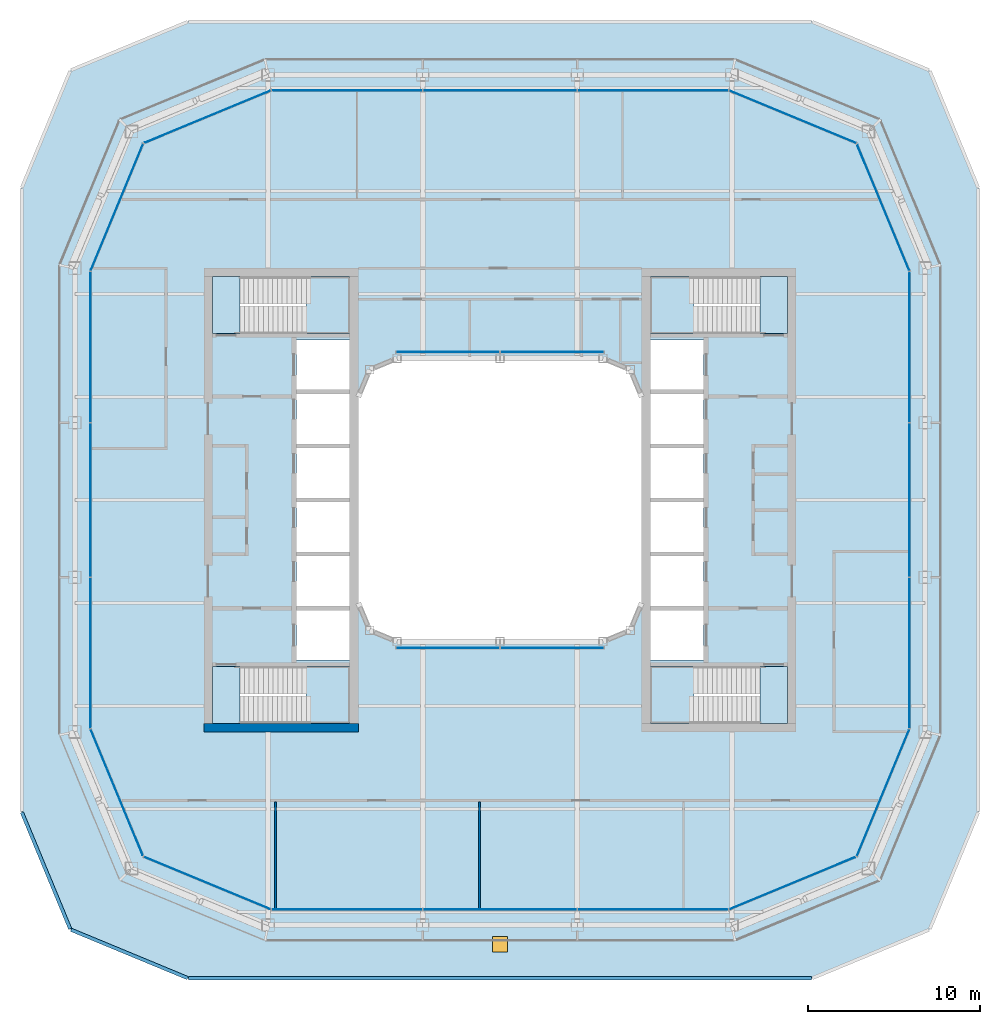
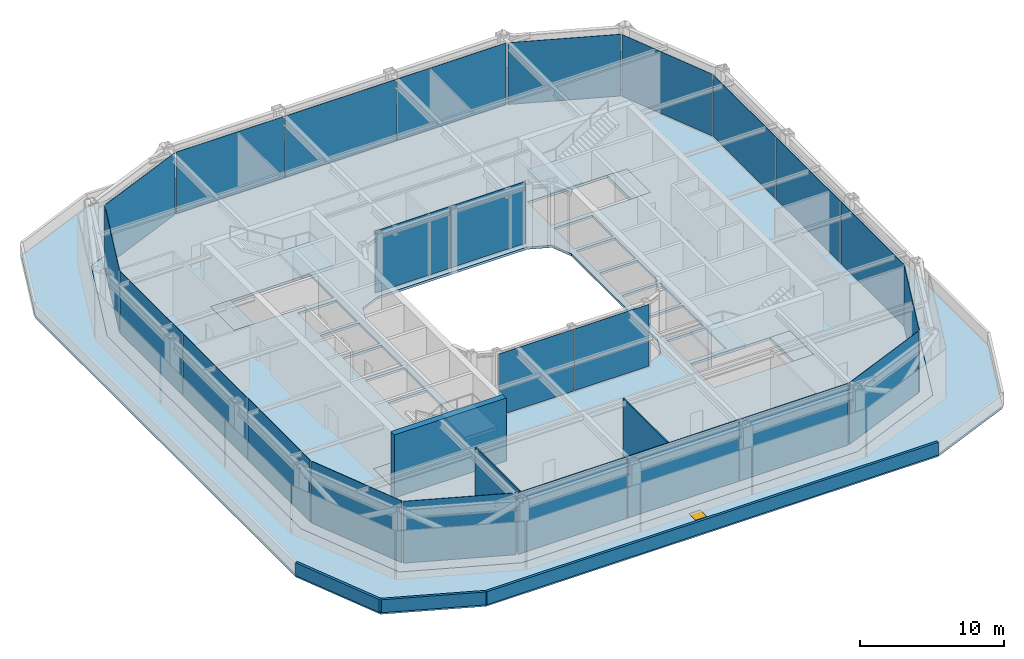
# One storey, part 9 of 17: 24 plates, 10 slabs, 6 walls, 1 window, 1 opening, 18 elements without a shape of their own.
"""IFC4 building model written with IfcOpenShell, lengths in metres."""

import ifcopenshell
import ifcopenshell.guid

model = None  # the IFC model being written
_history = None  # IfcOwnerHistory: only IFC2X3 demands one
_inside = {}  # id of a spatial element -> (the spatial element, [elements in it])
_under = {}  # id of a project, library or spatial element -> (it, [spatial elements below it])
_declared = {}  # id of a project -> (the project, [libraries it declares])
_typed = {}  # id of a type object -> (the type object, [elements of that type])
_made_of = {}  # id of a material, layer set ... -> (it, [elements and type objects made of it])


def new_model(schema):
    """Start an empty IFC model of exactly this schema.

    Asked for "IFC4X3", IfcOpenShell would pick the latest addendum, in which some entities
    have other attributes; the version numbers below select the first issue.
    IFC2X3 requires an IfcOwnerHistory on every rooted entity: one is made here for all.
    """
    global model, _history
    if schema == "IFC4X3":
        model = ifcopenshell.file(schema_version=(4, 3, 0, 0))
    else:
        model = ifcopenshell.file(schema=schema)
    _inside.clear()
    _under.clear()
    _declared.clear()
    _typed.clear()
    _made_of.clear()
    _history = None
    if model.schema == "IFC2X3":
        org = make("IfcOrganization", Name="unknown")
        user = make(
            "IfcPersonAndOrganization",
            ThePerson=make("IfcPerson", FamilyName="unknown"),
            TheOrganization=org,
        )
        app = make(
            "IfcApplication",
            ApplicationDeveloper=org,
            Version="unknown",
            ApplicationFullName="unknown",
            ApplicationIdentifier="unknown",
        )
        _history = make(
            "IfcOwnerHistory",
            OwningUser=user,
            OwningApplication=app,
            ChangeAction="ADDED",
            CreationDate=0,
        )
    return model


def make(cls, **values):
    """One entity of the class cls with the attributes given. An attribute that is None is left unset."""
    return model.create_entity(
        cls, **{name: value for name, value in values.items() if value is not None}
    )


def rooted(cls, **values):
    """An entity with a GlobalId (a new one), such as an element, a storey or a relation."""
    return make(cls, GlobalId=ifcopenshell.guid.new(), OwnerHistory=_history, **values)


def si_unit(unit_type, name, prefix=None):
    """IfcSIUnit, for example si_unit("LENGTHUNIT", "METRE", prefix="MILLI")."""
    return make("IfcSIUnit", UnitType=unit_type, Prefix=prefix, Name=name)


def assignment(units):
    """IfcUnitAssignment: the units of a project."""
    return None if units is None else make("IfcUnitAssignment", Units=units)


def point(xyz):
    """IfcCartesianPoint."""
    return None if xyz is None else make("IfcCartesianPoint", Coordinates=xyz)


def direction(xyz):
    """IfcDirection."""
    return None if xyz is None else make("IfcDirection", DirectionRatios=xyz)


def frame(location, z_axis=None, x_axis=None):
    """IfcAxis2Placement3D, a coordinate frame: its origin and axes. An axis left out is left unset."""
    return make(
        "IfcAxis2Placement3D",
        Location=point(location),
        Axis=direction(z_axis),
        RefDirection=direction(x_axis),
    )


def frame_2d(location, x_axis=None):
    """IfcAxis2Placement2D, a coordinate frame in the plane: its origin and x axis."""
    return make(
        "IfcAxis2Placement2D", Location=point(location), RefDirection=direction(x_axis)
    )


def origin():
    """The frame at (0, 0, 0) with its axes left unset."""
    return frame((0.0, 0.0, 0.0))


def origin_2d():
    """The frame at (0, 0) in the plane with its x axis left unset."""
    return frame_2d((0.0, 0.0))


def place(relative_to, where):
    """IfcLocalPlacement: puts the frame where relative to a parent placement (None: the world)."""
    return make(
        "IfcLocalPlacement", PlacementRelTo=relative_to, RelativePlacement=where
    )


def context(
    kind, dimensions, precision=None, world=None, true_north=None, identifier=None
):
    """IfcGeometricRepresentationContext, for example the 3D "Model" context."""
    return make(
        "IfcGeometricRepresentationContext",
        ContextIdentifier=identifier,
        ContextType=kind,
        CoordinateSpaceDimension=dimensions,
        Precision=precision,
        WorldCoordinateSystem=world,
        TrueNorth=true_north,
    )


def subcontext(parent, identifier, kind, view, scale=None):
    """IfcGeometricRepresentationSubContext, for example "Body" below "Model"."""
    return make(
        "IfcGeometricRepresentationSubContext",
        ContextIdentifier=identifier,
        ContextType=kind,
        ParentContext=parent,
        TargetScale=scale,
        TargetView=view,
    )


def project(units=None, contexts=None):
    """IfcProject with its units and contexts."""
    return rooted(
        "IfcProject",
        Name="project",
        RepresentationContexts=contexts,
        UnitsInContext=assignment(units),
    )


def spatial(cls, under=None, at=None, **own):
    """A site, building, storey or space (cls), placed at a placement, below another one or the project."""
    s = rooted(cls, ObjectPlacement=at, **own)
    if under is not None:
        _under.setdefault(under.id(), (under, []))[1].append(s)
    return s


def polyline(points):
    """IfcPolyline through the points."""
    return make("IfcPolyline", Points=[point(p) for p in points])


def profile(cls, at=None, kind="AREA", **sizes):
    """A parametric profile (cls). Its sizes go by their IFC names, for example OverallWidth=200.0."""
    return make(cls, ProfileType=kind, Position=at, **sizes)


def rectangle(**sizes):
    """IfcRectangleProfileDef."""
    return profile("IfcRectangleProfileDef", **sizes)


def outline(outer, holes=None, kind="AREA"):
    """IfcArbitraryClosedProfileDef: a profile drawn as a closed curve; with holes, ...WithVoids."""
    if holes is None:
        return make("IfcArbitraryClosedProfileDef", ProfileType=kind, OuterCurve=outer)
    return make(
        "IfcArbitraryProfileDefWithVoids",
        ProfileType=kind,
        OuterCurve=outer,
        InnerCurves=holes,
    )


def extrude(swept, where, along, depth):
    """IfcExtrudedAreaSolid: the profile swept, set in the frame where, extruded along a direction by depth."""
    return make(
        "IfcExtrudedAreaSolid",
        SweptArea=swept,
        Position=where,
        ExtrudedDirection=direction(along),
        Depth=depth,
    )


def shape(context_of_items, identifier, shape_type, items):
    """IfcShapeRepresentation: the items that make up one representation, for example the "Body"."""
    return make(
        "IfcShapeRepresentation",
        ContextOfItems=context_of_items,
        RepresentationIdentifier=identifier,
        RepresentationType=shape_type,
        Items=items,
    )


def material(Name=None, Category=None):
    """IfcMaterial."""
    return make("IfcMaterial", Name=Name, Category=Category)


def layer(
    of_material, thickness, ventilated=None, Name=None, Category=None, Priority=None
):
    """IfcMaterialLayer: one layer of a wall or slab, of a material (None: an air gap)."""
    return make(
        "IfcMaterialLayer",
        Material=of_material,
        LayerThickness=thickness,
        IsVentilated=ventilated,
        Name=Name,
        Category=Category,
        Priority=Priority,
    )


def layer_set(layers, Name=None):
    """IfcMaterialLayerSet."""
    return make("IfcMaterialLayerSet", MaterialLayers=layers, LayerSetName=Name)


def made_of(thing, what):
    """Note that an element or type object is made of a material, layer set ...; save() writes the relation."""
    if what is not None:
        _made_of.setdefault(what.id(), (what, []))[1].append(thing)
    return thing


def type_object(cls, material=None, **own):
    """A type object (cls), such as IfcWallType, which elements share."""
    return made_of(rooted(cls, **own), material)


def element(
    cls,
    number,
    at=None,
    inside=None,
    cuts=None,
    type_object=None,
    material=None,
    context=None,
    identifier="Body",
    shape_type=None,
    held_by="IfcProductDefinitionShape",
    body=None,
    shapes=None,
    **own,
):
    """One element of the class cls, such as IfcWall. Its Tag is "e" and its number.

    at: its placement. inside: the storey or other place that contains it. cuts: it is an
    opening in that element (IfcRelVoidsElement). A single representation is given by context,
    identifier, shape_type and body (its items); several are given by shapes. held_by: the class
    of the entity that holds the representations. save() writes the other relations.
    """
    e = rooted(cls, Tag="e%d" % number, ObjectPlacement=at, **own)
    if body is not None:
        shapes = [shape(context, identifier, shape_type, body)]
    if shapes is not None:
        e.Representation = make(held_by, Representations=shapes)
    if inside is not None:
        _inside.setdefault(inside.id(), (inside, []))[1].append(e)
    if cuts is not None:
        rooted(
            "IfcRelVoidsElement", RelatingBuildingElement=cuts, RelatedOpeningElement=e
        )
    if type_object is not None:
        _typed.setdefault(type_object.id(), (type_object, []))[1].append(e)
    return made_of(e, material)


def fill(opening, filler):
    """IfcRelFillsElement: the door or window that sits in an opening."""
    return rooted(
        "IfcRelFillsElement",
        RelatingOpeningElement=opening,
        RelatedBuildingElement=filler,
    )


def aggregate(whole, parts):
    """IfcRelAggregates: a whole, such as a stair, and the parts it consists of."""
    return rooted("IfcRelAggregates", RelatingObject=whole, RelatedObjects=parts)


def save(model, path):
    """Write the relations noted so far, then the file.

    IfcRelAggregates (storeys below a building ...), IfcRelContainedInSpatialStructure (elements
    in a storey), IfcRelDefinesByType, IfcRelAssociatesMaterial and IfcRelDeclares: one each for
    every whole, place, type object, material and project.
    """
    for whole, parts in _under.values():
        aggregate(whole, parts)
    for where, things in _inside.values():
        rooted(
            "IfcRelContainedInSpatialStructure",
            RelatedElements=things,
            RelatingStructure=where,
        )
    for kind, things in _typed.values():
        rooted("IfcRelDefinesByType", RelatedObjects=things, RelatingType=kind)
    for what, things in _made_of.values():
        rooted("IfcRelAssociatesMaterial", RelatedObjects=things, RelatingMaterial=what)
    for by, libraries in _declared.values():
        rooted("IfcRelDeclares", RelatingContext=by, RelatedDefinitions=libraries)
    model.write(path)


model = new_model("IFC4")

# Units and contexts
model_context = context("Model", 3, precision=1e-05, world=origin(), true_north=direction((0.0, 1.0)))
body_context = subcontext(model_context, "Body", "Model", "MODEL_VIEW")
ifc_project = project(units=[si_unit("LENGTHUNIT", "METRE"), si_unit("AREAUNIT", "SQUARE_METRE"), si_unit("VOLUMEUNIT", "CUBIC_METRE"), si_unit("PLANEANGLEUNIT", "RADIAN"), si_unit("MASSUNIT", "GRAM", prefix="KILO")], contexts=[model_context])

# Site, building, storey
site_placement = place(None, origin())
site = spatial("IfcSite", under=ifc_project, at=site_placement, CompositionType="ELEMENT")
building_placement = place(site_placement, origin())
building = spatial("IfcBuilding", under=site, at=building_placement, Name="Siwar Civic Tower", CompositionType="ELEMENT")
storey_placement = place(building_placement, frame((0.0, 0.0, 284.199951171875)))
storey = spatial("IfcBuildingStorey", under=building, at=storey_placement, Name="L61", CompositionType="ELEMENT", Elevation=284.199951171875)

# Stair, slabs
ifc_material_1 = material(Name="Concrete C40/50", Category="concrete")
stair_type = type_object("IfcStairType", Name="CORE-STAIR", PredefinedType="TWO_STRAIGHT_RUN_STAIR", material=ifc_material_1)
stair_1_placement = place(storey_placement, origin())
stair_1 = element("IfcStair", 1, at=stair_1_placement, inside=storey, type_object=stair_type, Name="Exit stair ST1", PredefinedType="TWO_STRAIGHT_RUN_STAIR")
ifc_material_2 = material(Name="Concrete C40/50", Category="concrete")
ifc_layer_1 = layer(ifc_material_2, 0.300048828125)
ifc_layer_set_1 = layer_set([ifc_layer_1], Name="Concrete C40/50")
slab_type_1 = type_object("IfcSlabType", Name="CORE-STAIR-LANDING", PredefinedType="LANDING", material=ifc_layer_set_1)
slab_1_placement = place(storey_placement, frame((0.0, 0.0, -0.300048828125)))
slab_1 = element("IfcSlab", 2, at=slab_1_placement, type_object=slab_type_1, Name="ST1 landing 1", PredefinedType="LANDING", context=body_context, shape_type="SweptSolid", body=[
    extrude(outline(polyline([(-15.14990234375, 13.0), (-16.75, 13.0), (-16.75, 9.699951171875), (-15.14990234375, 9.699951171875), (-15.14990234375, 13.0)])), origin(), (0.0, 0.0, 1.0), 0.300048828125),
])
slab_2_placement = place(storey_placement, frame((0.0, 0.0, 2.449951171875)))
slab_2 = element("IfcSlab", 3, at=slab_2_placement, type_object=slab_type_1, Name="ST1 landing 2", PredefinedType="LANDING", context=body_context, shape_type="SweptSolid", body=[
    extrude(outline(polyline([(-8.75, 13.0), (-11.300048828125, 13.0), (-11.300048828125, 9.699951171875), (-8.75, 9.699951171875), (-8.75, 13.0)])), origin(), (0.0, 0.0, 1.0), 0.300048828125),
])
aggregate(stair_1, [slab_1, slab_2])

stair_2_placement = place(storey_placement, origin())
stair_2 = element("IfcStair", 4, at=stair_2_placement, inside=storey, type_object=stair_type, Name="Exit stair ST2", PredefinedType="TWO_STRAIGHT_RUN_STAIR")
slab_3_placement = place(storey_placement, frame((0.0, 0.0, -0.300048828125)))
slab_3 = element("IfcSlab", 5, at=slab_3_placement, type_object=slab_type_1, Name="ST2 landing 1", PredefinedType="LANDING", context=body_context, shape_type="SweptSolid", body=[
    extrude(outline(polyline([(-15.14990234375, -9.699951171875), (-16.75, -9.699951171875), (-16.75, -13.0), (-15.14990234375, -13.0), (-15.14990234375, -9.699951171875)])), origin(), (0.0, 0.0, 1.0), 0.300048828125),
])
slab_4_placement = place(storey_placement, frame((0.0, 0.0, 2.449951171875)))
slab_4 = element("IfcSlab", 6, at=slab_4_placement, type_object=slab_type_1, Name="ST2 landing 2", PredefinedType="LANDING", context=body_context, shape_type="SweptSolid", body=[
    extrude(outline(polyline([(-8.75, -9.699951171875), (-11.300048828125, -9.699951171875), (-11.300048828125, -13.0), (-8.75, -13.0), (-8.75, -9.699951171875)])), origin(), (0.0, 0.0, 1.0), 0.300048828125),
])
aggregate(stair_2, [slab_3, slab_4])

stair_3_placement = place(storey_placement, origin())
stair_3 = element("IfcStair", 7, at=stair_3_placement, inside=storey, type_object=stair_type, Name="Exit stair ST3", PredefinedType="TWO_STRAIGHT_RUN_STAIR")
slab_5_placement = place(storey_placement, frame((0.0, 0.0, -0.300048828125)))
slab_5 = element("IfcSlab", 8, at=slab_5_placement, type_object=slab_type_1, Name="ST3 landing 1", PredefinedType="LANDING", context=body_context, shape_type="SweptSolid", body=[
    extrude(outline(polyline([(15.14990234375, 9.699951171875), (16.75, 9.699951171875), (16.75, 13.0), (15.14990234375, 13.0), (15.14990234375, 9.699951171875)])), origin(), (0.0, 0.0, 1.0), 0.300048828125),
])
slab_6_placement = place(storey_placement, frame((0.0, 0.0, 2.449951171875)))
slab_6 = element("IfcSlab", 9, at=slab_6_placement, type_object=slab_type_1, Name="ST3 landing 2", PredefinedType="LANDING", context=body_context, shape_type="SweptSolid", body=[
    extrude(outline(polyline([(8.75, 9.699951171875), (11.300048828125, 9.699951171875), (11.300048828125, 13.0), (8.75, 13.0), (8.75, 9.699951171875)])), origin(), (0.0, 0.0, 1.0), 0.300048828125),
])
aggregate(stair_3, [slab_5, slab_6])

stair_4_placement = place(storey_placement, origin())
stair_4 = element("IfcStair", 10, at=stair_4_placement, inside=storey, type_object=stair_type, Name="Exit stair ST4", PredefinedType="TWO_STRAIGHT_RUN_STAIR")
slab_7_placement = place(storey_placement, frame((0.0, 0.0, -0.300048828125)))
slab_7 = element("IfcSlab", 11, at=slab_7_placement, type_object=slab_type_1, Name="ST4 landing 1", PredefinedType="LANDING", context=body_context, shape_type="SweptSolid", body=[
    extrude(outline(polyline([(15.14990234375, -13.0), (16.75, -13.0), (16.75, -9.699951171875), (15.14990234375, -9.699951171875), (15.14990234375, -13.0)])), origin(), (0.0, 0.0, 1.0), 0.300048828125),
])
slab_8_placement = place(storey_placement, frame((0.0, 0.0, 2.449951171875)))
slab_8 = element("IfcSlab", 12, at=slab_8_placement, type_object=slab_type_1, Name="ST4 landing 2", PredefinedType="LANDING", context=body_context, shape_type="SweptSolid", body=[
    extrude(outline(polyline([(8.75, -13.0), (11.300048828125, -13.0), (11.300048828125, -9.699951171875), (8.75, -9.699951171875), (8.75, -13.0)])), origin(), (0.0, 0.0, 1.0), 0.300048828125),
])
aggregate(stair_4, [slab_7, slab_8])

# Curtain wall, plates
ifc_material_3 = material(Name="Aluminium and glass", Category="aluminium")
ifc_layer_2 = layer(ifc_material_3, 0.159912109375)
ifc_layer_set_2 = layer_set([ifc_layer_2], Name="Aluminium and glass")
curtain_wall_type_1 = type_object("IfcCurtainWallType", Name="ENV-CW-D", PredefinedType="NOTDEFINED", material=ifc_layer_set_2)
curtain_wall_1_placement = place(storey_placement, origin())
curtain_wall_1 = element("IfcCurtainWall", 13, at=curtain_wall_1_placement, inside=storey, type_object=curtain_wall_type_1, Name="Curtain wall D S", PredefinedType="NOTDEFINED")
ifc_material_4 = material(Name="Glass clear laminated", Category="glass")
ifc_layer_3 = layer(ifc_material_4, 0.030029296875)
ifc_layer_set_3 = layer_set([ifc_layer_3], Name="Glass clear laminated")
plate_type_1 = type_object("IfcPlateType", Name="ENV-PANEL-D", PredefinedType="CURTAIN_PANEL", material=ifc_layer_set_3)
plate_1_placement = place(storey_placement, frame((-8.910400390625, -23.85009765625, 0.10009765625), z_axis=(0.0, 0.0, 1.0), x_axis=(1.0, 0.0, 0.0)))
plate_1 = element("IfcPlate", 14, at=plate_1_placement, type_object=plate_type_1, Name="Curtain panel D S 1", PredefinedType="CURTAIN_PANEL", context=body_context, shape_type="SweptSolid", body=[
    extrude(rectangle(XDim=8.760986328125, YDim=0.030029296875, at=origin_2d()), origin(), (0.0, 0.0, 1.0), 5.25),
])
plate_2_placement = place(storey_placement, frame((0.0, -23.85009765625, 0.10009765625), z_axis=(0.0, 0.0, 1.0), x_axis=(1.0, 0.0, 0.0)))
plate_2 = element("IfcPlate", 15, at=plate_2_placement, type_object=plate_type_1, Name="Curtain panel D S 2", PredefinedType="CURTAIN_PANEL", context=body_context, shape_type="SweptSolid", body=[
    extrude(rectangle(XDim=8.93994140625, YDim=0.030029296875, at=origin_2d()), origin(), (0.0, 0.0, 1.0), 5.25),
])
plate_3_placement = place(storey_placement, frame((8.876708984375, -23.85009765625, 0.10009765625), z_axis=(0.0, 0.0, 1.0), x_axis=(1.0, 0.0, 0.0)))
plate_3 = element("IfcPlate", 16, at=plate_3_placement, type_object=plate_type_1, Name="Curtain panel D S 3", PredefinedType="CURTAIN_PANEL", context=body_context, shape_type="SweptSolid", body=[
    extrude(rectangle(XDim=8.693115234375, YDim=0.030029296875, at=origin_2d()), origin(), (0.0, 0.0, 1.0), 5.25),
])
aggregate(curtain_wall_1, [plate_1, plate_2, plate_3])

curtain_wall_2_placement = place(storey_placement, origin())
curtain_wall_2 = element("IfcCurtainWall", 17, at=curtain_wall_2_placement, inside=storey, type_object=curtain_wall_type_1, Name="Curtain wall D E", PredefinedType="NOTDEFINED")
plate_4_placement = place(storey_placement, frame((23.85009765625, -8.910400390625, 0.10009765625), z_axis=(0.0, 0.0, 1.0), x_axis=(0.0, 1.0, 0.0)))
plate_4 = element("IfcPlate", 18, at=plate_4_placement, type_object=plate_type_1, Name="Curtain panel D E 1", PredefinedType="CURTAIN_PANEL", context=body_context, shape_type="SweptSolid", body=[
    extrude(rectangle(XDim=8.760986328125, YDim=0.030029296875, at=origin_2d()), origin(), (0.0, 0.0, 1.0), 5.25),
])
plate_5_placement = place(storey_placement, frame((23.85009765625, 0.0, 0.10009765625), z_axis=(0.0, 0.0, 1.0), x_axis=(0.0, 1.0, 0.0)))
plate_5 = element("IfcPlate", 19, at=plate_5_placement, type_object=plate_type_1, Name="Curtain panel D E 2", PredefinedType="CURTAIN_PANEL", context=body_context, shape_type="SweptSolid", body=[
    extrude(rectangle(XDim=8.93994140625, YDim=0.030029296875, at=origin_2d()), origin(), (0.0, 0.0, 1.0), 5.25),
])
plate_6_placement = place(storey_placement, frame((23.85009765625, 8.876708984375, 0.10009765625), z_axis=(0.0, 0.0, 1.0), x_axis=(0.0, 1.0, 0.0)))
plate_6 = element("IfcPlate", 20, at=plate_6_placement, type_object=plate_type_1, Name="Curtain panel D E 3", PredefinedType="CURTAIN_PANEL", context=body_context, shape_type="SweptSolid", body=[
    extrude(rectangle(XDim=8.693115234375, YDim=0.030029296875, at=origin_2d()), origin(), (0.0, 0.0, 1.0), 5.25),
])
aggregate(curtain_wall_2, [plate_4, plate_5, plate_6])

curtain_wall_3_placement = place(storey_placement, origin())
curtain_wall_3 = element("IfcCurtainWall", 21, at=curtain_wall_3_placement, inside=storey, type_object=curtain_wall_type_1, Name="Curtain wall D N", PredefinedType="NOTDEFINED")
plate_7_placement = place(storey_placement, frame((8.910400390625, 23.85009765625, 0.10009765625), z_axis=(0.0, 0.0, 1.0), x_axis=(-1.0, 0.0, 0.0)))
plate_7 = element("IfcPlate", 22, at=plate_7_placement, type_object=plate_type_1, Name="Curtain panel D N 1", PredefinedType="CURTAIN_PANEL", context=body_context, shape_type="SweptSolid", body=[
    extrude(rectangle(XDim=8.760986328125, YDim=0.030029296875, at=origin_2d()), origin(), (0.0, 0.0, 1.0), 5.25),
])
plate_8_placement = place(storey_placement, frame((0.0, 23.85009765625, 0.10009765625), z_axis=(0.0, 0.0, 1.0), x_axis=(-1.0, 0.0, 0.0)))
plate_8 = element("IfcPlate", 23, at=plate_8_placement, type_object=plate_type_1, Name="Curtain panel D N 2", PredefinedType="CURTAIN_PANEL", context=body_context, shape_type="SweptSolid", body=[
    extrude(rectangle(XDim=8.93994140625, YDim=0.030029296875, at=origin_2d()), origin(), (0.0, 0.0, 1.0), 5.25),
])
plate_9_placement = place(storey_placement, frame((-8.876708984375, 23.85009765625, 0.10009765625), z_axis=(0.0, 0.0, 1.0), x_axis=(-1.0, 0.0, 0.0)))
plate_9 = element("IfcPlate", 24, at=plate_9_placement, type_object=plate_type_1, Name="Curtain panel D N 3", PredefinedType="CURTAIN_PANEL", context=body_context, shape_type="SweptSolid", body=[
    extrude(rectangle(XDim=8.693115234375, YDim=0.030029296875, at=origin_2d()), origin(), (0.0, 0.0, 1.0), 5.25),
])
aggregate(curtain_wall_3, [plate_7, plate_8, plate_9])

curtain_wall_4_placement = place(storey_placement, origin())
curtain_wall_4 = element("IfcCurtainWall", 25, at=curtain_wall_4_placement, inside=storey, type_object=curtain_wall_type_1, Name="Curtain wall D W", PredefinedType="NOTDEFINED")
plate_10_placement = place(storey_placement, frame((-23.85009765625, 8.910400390625, 0.10009765625), z_axis=(0.0, 0.0, 1.0), x_axis=(0.0, -1.0, 0.0)))
plate_10 = element("IfcPlate", 26, at=plate_10_placement, type_object=plate_type_1, Name="Curtain panel D W 1", PredefinedType="CURTAIN_PANEL", context=body_context, shape_type="SweptSolid", body=[
    extrude(rectangle(XDim=8.760986328125, YDim=0.030029296875, at=origin_2d()), origin(), (0.0, 0.0, 1.0), 5.25),
])
plate_11_placement = place(storey_placement, frame((-23.85009765625, 0.0, 0.10009765625), z_axis=(0.0, 0.0, 1.0), x_axis=(0.0, -1.0, 0.0)))
plate_11 = element("IfcPlate", 27, at=plate_11_placement, type_object=plate_type_1, Name="Curtain panel D W 2", PredefinedType="CURTAIN_PANEL", context=body_context, shape_type="SweptSolid", body=[
    extrude(rectangle(XDim=8.93994140625, YDim=0.030029296875, at=origin_2d()), origin(), (0.0, 0.0, 1.0), 5.25),
])
plate_12_placement = place(storey_placement, frame((-23.85009765625, -8.876708984375, 0.10009765625), z_axis=(0.0, 0.0, 1.0), x_axis=(0.0, -1.0, 0.0)))
plate_12 = element("IfcPlate", 28, at=plate_12_placement, type_object=plate_type_1, Name="Curtain panel D W 3", PredefinedType="CURTAIN_PANEL", context=body_context, shape_type="SweptSolid", body=[
    extrude(rectangle(XDim=8.693115234375, YDim=0.030029296875, at=origin_2d()), origin(), (0.0, 0.0, 1.0), 5.25),
])
aggregate(curtain_wall_4, [plate_10, plate_11, plate_12])

# Curtain wall, plate
ifc_material_5 = material(Name="Aluminium clad insulated panel", Category="aluminium")
ifc_layer_4 = layer(ifc_material_5, 0.159912109375)
ifc_layer_set_4 = layer_set([ifc_layer_4], Name="Aluminium clad insulated panel")
curtain_wall_type_2 = type_object("IfcCurtainWallType", Name="ENV-CW-DX", PredefinedType="NOTDEFINED", material=ifc_layer_set_4)
curtain_wall_5_placement = place(storey_placement, origin())
curtain_wall_5 = element("IfcCurtainWall", 29, at=curtain_wall_5_placement, inside=storey, type_object=curtain_wall_type_2, Name="Curtain wall D SE1", PredefinedType="NOTDEFINED")
ifc_material_6 = material(Name="Aluminium clad insulated panel", Category="aluminium")
ifc_layer_5 = layer(ifc_material_6, 0.030029296875)
ifc_layer_set_5 = layer_set([ifc_layer_5], Name="Aluminium clad insulated panel")
plate_type_2 = type_object("IfcPlateType", Name="ENV-PANEL-DX", PredefinedType="CURTAIN_PANEL", material=ifc_layer_set_5)
plate_13_placement = place(storey_placement, frame((17.01220703125, -22.321044921875, 0.10009765625), z_axis=(0.0, 0.0, 1.0), x_axis=(0.923879532511, 0.382683432365, 0.0)))
plate_13 = element("IfcPlate", 30, at=plate_13_placement, type_object=plate_type_2, Name="Curtain panel D SE1 1", PredefinedType="CURTAIN_PANEL", context=body_context, shape_type="SweptSolid", body=[
    extrude(rectangle(XDim=7.9306640625, YDim=0.030029296875, at=origin_2d()), origin(), (0.0, 0.0, 1.0), 5.25),
])
aggregate(curtain_wall_5, [plate_13])

curtain_wall_6_placement = place(storey_placement, origin())
curtain_wall_6 = element("IfcCurtainWall", 31, at=curtain_wall_6_placement, inside=storey, type_object=curtain_wall_type_2, Name="Curtain wall D SE2", PredefinedType="NOTDEFINED")
plate_14_placement = place(storey_placement, frame((22.295166015625, -17.074951171875, 0.10009765625), z_axis=(0.0, 0.0, 1.0), x_axis=(0.382683432365, 0.923879532511, 0.0)))
plate_14 = element("IfcPlate", 32, at=plate_14_placement, type_object=plate_type_2, Name="Curtain panel D SE2 1", PredefinedType="CURTAIN_PANEL", context=body_context, shape_type="SweptSolid", body=[
    extrude(rectangle(XDim=7.9306640625, YDim=0.030029296875, at=origin_2d()), origin(), (0.0, 0.0, 1.0), 5.25),
])
aggregate(curtain_wall_6, [plate_14])

curtain_wall_7_placement = place(storey_placement, origin())
curtain_wall_7 = element("IfcCurtainWall", 33, at=curtain_wall_7_placement, inside=storey, type_object=curtain_wall_type_2, Name="Curtain wall D NE1", PredefinedType="NOTDEFINED")
plate_15_placement = place(storey_placement, frame((22.321044921875, 17.01220703125, 0.10009765625), z_axis=(0.0, 0.0, 1.0), x_axis=(-0.382683432365, 0.923879532511, 0.0)))
plate_15 = element("IfcPlate", 34, at=plate_15_placement, type_object=plate_type_2, Name="Curtain panel D NE1 1", PredefinedType="CURTAIN_PANEL", context=body_context, shape_type="SweptSolid", body=[
    extrude(rectangle(XDim=7.9306640625, YDim=0.030029296875, at=origin_2d()), origin(), (0.0, 0.0, 1.0), 5.25),
])
aggregate(curtain_wall_7, [plate_15])

curtain_wall_8_placement = place(storey_placement, origin())
curtain_wall_8 = element("IfcCurtainWall", 35, at=curtain_wall_8_placement, inside=storey, type_object=curtain_wall_type_2, Name="Curtain wall D NE2", PredefinedType="NOTDEFINED")
plate_16_placement = place(storey_placement, frame((17.074951171875, 22.295166015625, 0.10009765625), z_axis=(0.0, 0.0, 1.0), x_axis=(-0.923879532511, 0.382683432365, 0.0)))
plate_16 = element("IfcPlate", 36, at=plate_16_placement, type_object=plate_type_2, Name="Curtain panel D NE2 1", PredefinedType="CURTAIN_PANEL", context=body_context, shape_type="SweptSolid", body=[
    extrude(rectangle(XDim=7.9306640625, YDim=0.030029296875, at=origin_2d()), origin(), (0.0, 0.0, 1.0), 5.25),
])
aggregate(curtain_wall_8, [plate_16])

curtain_wall_9_placement = place(storey_placement, origin())
curtain_wall_9 = element("IfcCurtainWall", 37, at=curtain_wall_9_placement, inside=storey, type_object=curtain_wall_type_2, Name="Curtain wall D NW1", PredefinedType="NOTDEFINED")
plate_17_placement = place(storey_placement, frame((-17.01220703125, 22.321044921875, 0.10009765625), z_axis=(0.0, 0.0, 1.0), x_axis=(-0.923879532511, -0.382683432365, 0.0)))
plate_17 = element("IfcPlate", 38, at=plate_17_placement, type_object=plate_type_2, Name="Curtain panel D NW1 1", PredefinedType="CURTAIN_PANEL", context=body_context, shape_type="SweptSolid", body=[
    extrude(rectangle(XDim=7.9306640625, YDim=0.030029296875, at=origin_2d()), origin(), (0.0, 0.0, 1.0), 5.25),
])
aggregate(curtain_wall_9, [plate_17])

curtain_wall_10_placement = place(storey_placement, origin())
curtain_wall_10 = element("IfcCurtainWall", 39, at=curtain_wall_10_placement, inside=storey, type_object=curtain_wall_type_2, Name="Curtain wall D NW2", PredefinedType="NOTDEFINED")
plate_18_placement = place(storey_placement, frame((-22.295166015625, 17.074951171875, 0.10009765625), z_axis=(0.0, 0.0, 1.0), x_axis=(-0.382683432365, -0.923879532511, 0.0)))
plate_18 = element("IfcPlate", 40, at=plate_18_placement, type_object=plate_type_2, Name="Curtain panel D NW2 1", PredefinedType="CURTAIN_PANEL", context=body_context, shape_type="SweptSolid", body=[
    extrude(rectangle(XDim=7.9306640625, YDim=0.030029296875, at=origin_2d()), origin(), (0.0, 0.0, 1.0), 5.25),
])
aggregate(curtain_wall_10, [plate_18])

curtain_wall_11_placement = place(storey_placement, origin())
curtain_wall_11 = element("IfcCurtainWall", 41, at=curtain_wall_11_placement, inside=storey, type_object=curtain_wall_type_2, Name="Curtain wall D SW1", PredefinedType="NOTDEFINED")
plate_19_placement = place(storey_placement, frame((-22.321044921875, -17.01220703125, 0.10009765625), z_axis=(0.0, 0.0, 1.0), x_axis=(0.382683432365, -0.923879532511, 0.0)))
plate_19 = element("IfcPlate", 42, at=plate_19_placement, type_object=plate_type_2, Name="Curtain panel D SW1 1", PredefinedType="CURTAIN_PANEL", context=body_context, shape_type="SweptSolid", body=[
    extrude(rectangle(XDim=7.9306640625, YDim=0.030029296875, at=origin_2d()), origin(), (0.0, 0.0, 1.0), 5.25),
])
aggregate(curtain_wall_11, [plate_19])

curtain_wall_12_placement = place(storey_placement, origin())
curtain_wall_12 = element("IfcCurtainWall", 43, at=curtain_wall_12_placement, inside=storey, type_object=curtain_wall_type_2, Name="Curtain wall D SW2", PredefinedType="NOTDEFINED")
plate_20_placement = place(storey_placement, frame((-17.074951171875, -22.295166015625, 0.10009765625), z_axis=(0.0, 0.0, 1.0), x_axis=(0.923879532511, -0.382683432365, 0.0)))
plate_20 = element("IfcPlate", 44, at=plate_20_placement, type_object=plate_type_2, Name="Curtain panel D SW2 1", PredefinedType="CURTAIN_PANEL", context=body_context, shape_type="SweptSolid", body=[
    extrude(rectangle(XDim=7.9306640625, YDim=0.030029296875, at=origin_2d()), origin(), (0.0, 0.0, 1.0), 5.25),
])
aggregate(curtain_wall_12, [plate_20])

# Curtain wall, plates
ifc_material_7 = material(Name="Aluminium and glass", Category="aluminium")
ifc_layer_6 = layer(ifc_material_7, 0.179931640625)
ifc_layer_set_6 = layer_set([ifc_layer_6], Name="Aluminium and glass")
curtain_wall_type_3 = type_object("IfcCurtainWallType", Name="ENV-CW-W", PredefinedType="NOTDEFINED", material=ifc_layer_set_6)
curtain_wall_13_placement = place(storey_placement, origin())
curtain_wall_13 = element("IfcCurtainWall", 45, at=curtain_wall_13_placement, inside=storey, type_object=curtain_wall_type_3, Name="Curtain wall W WS", PredefinedType="NOTDEFINED")
ifc_material_8 = material(Name="Glass clear laminated", Category="glass")
ifc_layer_7 = layer(ifc_material_8, 0.031982421875)
ifc_layer_set_7 = layer_set([ifc_layer_7], Name="Glass clear laminated")
plate_type_3 = type_object("IfcPlateType", Name="ENV-PANEL-W", PredefinedType="CURTAIN_PANEL", material=ifc_layer_set_7)
plate_21_placement = place(storey_placement, frame((-3.035888671875, -8.610107421875, 0.10009765625), z_axis=(0.0, 0.0, 1.0), x_axis=(1.0, 0.0, 0.0)))
plate_21 = element("IfcPlate", 46, at=plate_21_placement, type_object=plate_type_3, Name="Curtain panel W WS 1", PredefinedType="CURTAIN_PANEL", context=body_context, shape_type="SweptSolid", body=[
    extrude(rectangle(XDim=6.01171875, YDim=0.031982421875, at=origin_2d()), origin(), (0.0, 0.0, 1.0), 5.25),
])
plate_22_placement = place(storey_placement, frame((3.035888671875, -8.610107421875, 0.10009765625), z_axis=(0.0, 0.0, 1.0), x_axis=(1.0, 0.0, 0.0)))
plate_22 = element("IfcPlate", 47, at=plate_22_placement, type_object=plate_type_3, Name="Curtain panel W WS 2", PredefinedType="CURTAIN_PANEL", context=body_context, shape_type="SweptSolid", body=[
    extrude(rectangle(XDim=6.01171875, YDim=0.031982421875, at=origin_2d()), origin(), (0.0, 0.0, 1.0), 5.25),
])
aggregate(curtain_wall_13, [plate_21, plate_22])

curtain_wall_14_placement = place(storey_placement, origin())
curtain_wall_14 = element("IfcCurtainWall", 48, at=curtain_wall_14_placement, inside=storey, type_object=curtain_wall_type_3, Name="Curtain wall W WN", PredefinedType="NOTDEFINED")
plate_23_placement = place(storey_placement, frame((3.035888671875, 8.610107421875, 0.10009765625), z_axis=(0.0, 0.0, 1.0), x_axis=(-1.0, 0.0, 0.0)))
plate_23 = element("IfcPlate", 49, at=plate_23_placement, type_object=plate_type_3, Name="Curtain panel W WN 1", PredefinedType="CURTAIN_PANEL", context=body_context, shape_type="SweptSolid", body=[
    extrude(rectangle(XDim=6.01171875, YDim=0.031982421875, at=origin_2d()), origin(), (0.0, 0.0, 1.0), 5.25),
])
plate_24_placement = place(storey_placement, frame((-3.035888671875, 8.610107421875, 0.10009765625), z_axis=(0.0, 0.0, 1.0), x_axis=(-1.0, 0.0, 0.0)))
plate_24 = element("IfcPlate", 50, at=plate_24_placement, type_object=plate_type_3, Name="Curtain panel W WN 2", PredefinedType="CURTAIN_PANEL", context=body_context, shape_type="SweptSolid", body=[
    extrude(rectangle(XDim=6.01171875, YDim=0.031982421875, at=origin_2d()), origin(), (0.0, 0.0, 1.0), 5.25),
])
aggregate(curtain_wall_14, [plate_23, plate_24])

# Slab, opening, window
ifc_material_9 = material(Name="Concrete C40/50", Category="concrete")
ifc_layer_8 = layer(ifc_material_9, 0.199951171875)
ifc_layer_set_8 = layer_set([ifc_layer_8], Name="Concrete C40/50")
slab_type_2 = type_object("IfcSlabType", Name="ENV-SETBACK ROOF 200", PredefinedType="ROOF", material=ifc_layer_set_8)
slab_9_placement = place(storey_placement, frame((0.0, 0.0, -0.199951171875)))
slab_9 = element("IfcSlab", 51, at=slab_9_placement, inside=storey, type_object=slab_type_2, Name="Roof over L60 plant, bay 1", PredefinedType="ROOF", context=body_context, shape_type="SweptSolid", body=[
    extrude(outline(polyline([(-25.014404296875, -25.014404296875), (-18.169189453125, -27.85009765625), (18.169189453125, -27.85009765625), (25.014404296875, -25.014404296875), (27.85009765625, -18.169189453125), (27.85009765625, 18.169189453125), (25.014404296875, 25.014404296875), (18.169189453125, 27.85009765625), (-18.169189453125, 27.85009765625), (-25.014404296875, 25.014404296875), (-27.85009765625, 18.169189453125), (-27.85009765625, -18.169189453125), (-25.014404296875, -25.014404296875)]), holes=[polyline([(13.5, -24.75), (-13.5, -24.75), (-21.454833984375, -21.454833984375), (-24.75, -13.5), (-24.75, 13.5), (-21.454833984375, 21.454833984375), (-13.5, 24.75), (13.5, 24.75), (21.454833984375, 21.454833984375), (24.75, 13.5), (24.75, -13.5), (21.454833984375, -21.454833984375), (13.5, -24.75)])]), origin(), (0.0, 0.0, 1.0), 0.199951171875),
])
opening_placement = place(slab_9_placement, frame((0.0, -25.875, 0.0)))
opening = element("IfcOpeningElement", 52, at=opening_placement, cuts=slab_9, Name="Opening HT", PredefinedType="OPENING", context=body_context, shape_type="SweptSolid", body=[
    extrude(rectangle(XDim=0.89990234375, YDim=0.89990234375, at=origin_2d()), origin(), (0.0, 0.0, 1.0), 0.199951171875),
])
ifc_material_10 = material(Name="Aluminium and glass", Category="aluminium")
window_type = type_object("IfcWindowType", Name="ENV-HATCH", PartitioningType="SINGLE_PANEL", PredefinedType="SKYLIGHT", material=ifc_material_10)
window_placement = place(opening_placement, frame((0.0, 0.0, 0.14990234375)))
window = element("IfcWindow", 53, at=window_placement, inside=storey, type_object=window_type, Name="Roof hatch L60 1", OverallHeight=0.89990234375, OverallWidth=0.89990234375, PartitioningType="SINGLE_PANEL", PredefinedType="SKYLIGHT", context=body_context, shape_type="SweptSolid", body=[
    extrude(rectangle(XDim=0.89990234375, YDim=0.89990234375, at=origin_2d()), origin(), (0.0, 0.0, 1.0), 0.050048828125),
])
fill(opening, window)

# Slab
ifc_material_11 = material(Name="Concrete C40/50", Category="concrete")
ifc_layer_9 = layer(ifc_material_11, 0.199951171875)
ifc_layer_set_9 = layer_set([ifc_layer_9], Name="Concrete C40/50")
slab_type_3 = type_object("IfcSlabType", Name="STR-FLOOR-DECK-200", PredefinedType="FLOOR", material=ifc_layer_set_9)
slab_10_placement = place(storey_placement, frame((0.0, 0.0, -0.199951171875)))
element("IfcSlab", 54, at=slab_10_placement, inside=storey, type_object=slab_type_3, Name="L61/slab/1", PredefinedType="FLOOR", context=body_context, shape_type="SweptSolid", body=[
    extrude(outline(polyline([(-13.5, -24.75), (13.5, -24.75), (21.454833984375, -21.454833984375), (24.75, -13.5), (24.75, 13.5), (21.454833984375, 21.454833984375), (13.5, 24.75), (-13.5, 24.75), (-21.454833984375, 21.454833984375), (-24.75, 13.5), (-24.75, -13.5), (-21.454833984375, -21.454833984375), (-13.5, -24.75)]), holes=[polyline([(16.75, 13.0), (16.75, 9.699951171875), (8.75, 9.699951171875), (8.75, 13.0), (16.75, 13.0)]), polyline([(8.75, -9.699951171875), (16.75, -9.699951171875), (16.75, -13.0), (8.75, -13.0), (8.75, -9.699951171875)]), polyline([(11.85009765625, 9.324951171875), (11.85009765625, 6.425048828125), (8.75, 6.425048828125), (8.75, 9.324951171875), (11.85009765625, 9.324951171875)]), polyline([(8.75, 6.175048828125), (11.85009765625, 6.175048828125), (11.85009765625, 3.27490234375), (8.75, 3.27490234375), (8.75, 6.175048828125)]), polyline([(8.75, 3.02490234375), (11.85009765625, 3.02490234375), (11.85009765625, 0.125), (8.75, 0.125), (8.75, 3.02490234375)]), polyline([(8.75, -0.125), (11.85009765625, -0.125), (11.85009765625, -3.02490234375), (8.75, -3.02490234375), (8.75, -0.125)]), polyline([(8.75, -3.27490234375), (11.85009765625, -3.27490234375), (11.85009765625, -6.175048828125), (8.75, -6.175048828125), (8.75, -3.27490234375)]), polyline([(8.75, -6.425048828125), (11.85009765625, -6.425048828125), (11.85009765625, -9.324951171875), (8.75, -9.324951171875), (8.75, -6.425048828125)]), polyline([(-6.0, 8.25), (6.0, 8.25), (7.591064453125, 7.591064453125), (8.25, 6.0), (8.25, -6.0), (7.591064453125, -7.591064453125), (6.0, -8.25), (-6.0, -8.25), (-7.591064453125, -7.591064453125), (-8.25, -6.0), (-8.25, 6.0), (-7.591064453125, 7.591064453125), (-6.0, 8.25)]), polyline([(-8.75, -13.0), (-16.75, -13.0), (-16.75, -9.699951171875), (-8.75, -9.699951171875), (-8.75, -13.0)]), polyline([(-8.75, 9.699951171875), (-16.75, 9.699951171875), (-16.75, 13.0), (-8.75, 13.0), (-8.75, 9.699951171875)]), polyline([(-8.75, 6.425048828125), (-11.85009765625, 6.425048828125), (-11.85009765625, 9.324951171875), (-8.75, 9.324951171875), (-8.75, 6.425048828125)]), polyline([(-8.75, 3.27490234375), (-11.85009765625, 3.27490234375), (-11.85009765625, 6.175048828125), (-8.75, 6.175048828125), (-8.75, 3.27490234375)]), polyline([(-8.75, 0.125), (-11.85009765625, 0.125), (-11.85009765625, 3.02490234375), (-8.75, 3.02490234375), (-8.75, 0.125)]), polyline([(-8.75, -3.02490234375), (-11.85009765625, -3.02490234375), (-11.85009765625, -0.125), (-8.75, -0.125), (-8.75, -3.02490234375)]), polyline([(-8.75, -6.175048828125), (-11.85009765625, -6.175048828125), (-11.85009765625, -3.27490234375), (-8.75, -3.27490234375), (-8.75, -6.175048828125)]), polyline([(-8.75, -9.324951171875), (-11.85009765625, -9.324951171875), (-11.85009765625, -6.425048828125), (-8.75, -6.425048828125), (-8.75, -9.324951171875)])]), origin(), (0.0, 0.0, 1.0), 0.199951171875),
])

# Walls
ifc_material_12 = material(Name="Concrete C60/75", Category="concrete")
ifc_layer_10 = layer(ifc_material_12, 0.5)
ifc_layer_set_10 = layer_set([ifc_layer_10], Name="Concrete C60/75")
wall_type_1 = type_object("IfcWallType", Name="CORE-WALL-RC500", PredefinedType="SHEAR", material=ifc_layer_set_10)
wall_1_placement = place(storey_placement, frame((-8.25, -13.25, 0.0), z_axis=(0.0, 0.0, 1.0), x_axis=(-1.0, 0.0, 0.0)))
element("IfcWall", 55, at=wall_1_placement, inside=storey, type_object=wall_type_1, Name="Core wall W", PredefinedType="SHEAR", context=body_context, shape_type="SweptSolid", body=[
    extrude(rectangle(XDim=9.0, YDim=0.5, at=frame_2d((4.5, 0.0))), origin(), (0.0, 0.0, 1.0), 5.35009765625),
])
ifc_material_13 = material(Name="Aluminium clad insulated panel", Category="aluminium")
ifc_layer_11 = layer(ifc_material_13, 0.199951171875)
ifc_layer_set_11 = layer_set([ifc_layer_11], Name="Aluminium clad insulated panel")
wall_type_2 = type_object("IfcWallType", Name="ENV-PARAPET", PredefinedType="PARAPET", material=ifc_layer_set_11)
wall_2_placement = place(storey_placement, frame((-24.976318359375, -25.0302734375, 0.0), z_axis=(0.0, 0.0, 1.0), x_axis=(0.923879961605, -0.382682396439, 0.0)))
element("IfcWall", 56, at=wall_2_placement, inside=storey, type_object=wall_type_2, Name="Parapet L60 roof 1.1", PredefinedType="PARAPET", context=body_context, shape_type="SweptSolid", body=[
    extrude(rectangle(XDim=7.34814453125, YDim=0.199951171875, at=frame_2d((3.674072265625, 0.0))), origin(), (0.0, 0.0, 1.0), 1.10009765625),
])
wall_3_placement = place(storey_placement, frame((-18.149169921875, -27.85009765625, 0.0), z_axis=(0.0, 0.0, 1.0), x_axis=(1.0, 0.0, 0.0)))
element("IfcWall", 57, at=wall_3_placement, inside=storey, type_object=wall_type_2, Name="Parapet L60 roof 1.2", PredefinedType="PARAPET", context=body_context, shape_type="SweptSolid", body=[
    extrude(rectangle(XDim=36.29833984375, YDim=0.199951171875, at=frame_2d((18.149169921875, 0.0))), origin(), (0.0, 0.0, 1.0), 1.10009765625),
])
wall_4_placement = place(storey_placement, frame((-27.84228515625, -18.1875, 0.0), z_axis=(0.0, 0.0, 1.0), x_axis=(0.382682396439, -0.923879961605, 0.0)))
element("IfcWall", 58, at=wall_4_placement, inside=storey, type_object=wall_type_2, Name="Parapet L60 roof 1.12", PredefinedType="PARAPET", context=body_context, shape_type="SweptSolid", body=[
    extrude(rectangle(XDim=7.34814453125, YDim=0.199951171875, at=frame_2d((3.674072265625, 0.0))), origin(), (0.0, 0.0, 1.0), 1.10009765625),
])
ifc_material_14 = material(Name="Gypsum board on steel studs", Category="steel")
ifc_layer_12 = layer(ifc_material_14, 0.10009765625)
ifc_layer_set_12 = layer_set([ifc_layer_12], Name="Gypsum board on steel studs")
wall_type_3 = type_object("IfcWallType", Name="PARTITION 100 GYPSUM", PredefinedType="PARTITIONING", material=ifc_layer_set_12)
for number, where, z_axis, x_axis, name in (
    (59, (-13.070068359375, -23.760009765625, 0.0), (0.0, 0.0, 1.0), (0.0, 1.0, 0.0), "L61/wall/P12"),
    (60, (-1.18994140625, -23.760009765625, 0.0), (0.0, 0.0, 1.0), (0.0, 1.0, 0.0), "L61/wall/P15"),
):
    element("IfcWall", number, at=place(storey_placement, frame(where, z_axis=z_axis, x_axis=x_axis)), inside=storey, type_object=wall_type_3, Name=name, PredefinedType="PARTITIONING", context=body_context, shape_type="SweptSolid", body=[
        extrude(rectangle(XDim=6.18505859375, YDim=0.10009765625, at=frame_2d((3.092529296875, 0.0))), origin(), (0.0, 0.0, 1.0), 5.35009765625),
    ])

save(model, "model.ifc")
